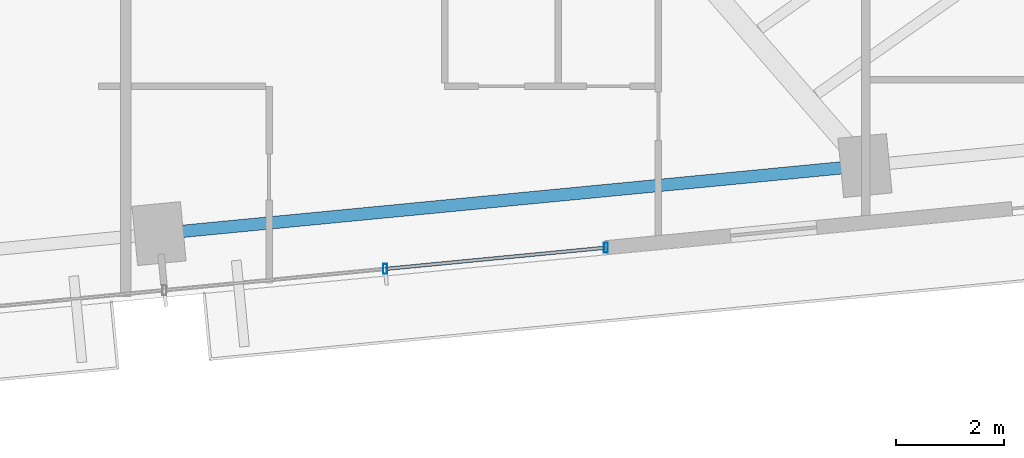
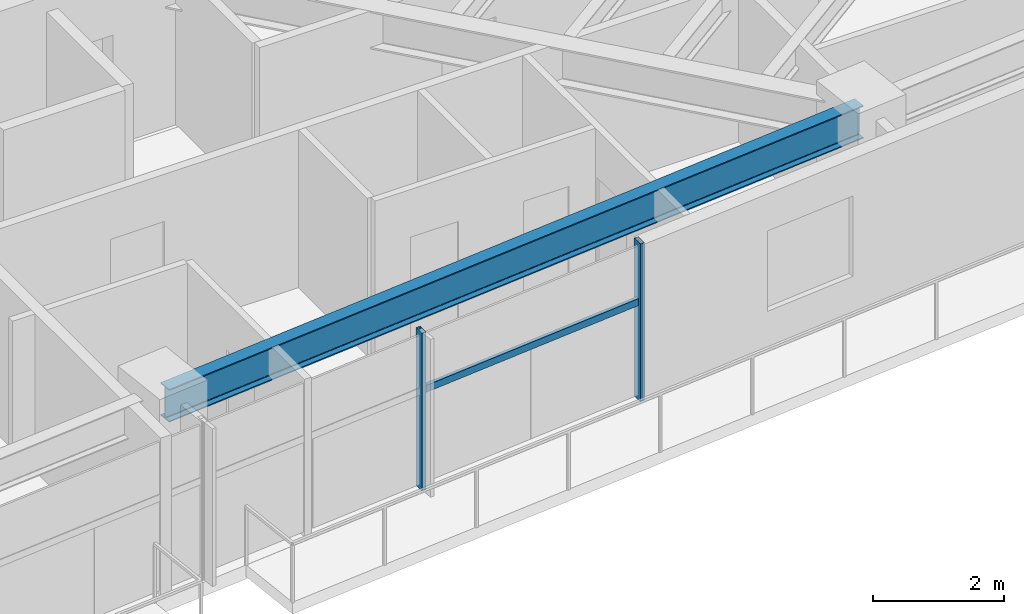
# One storey, part 12 of 27: 3 members, 1 beam, 1 element without a shape of its own.
"""IFC4 building model written with IfcOpenShell, lengths in metres."""

from ifc_helpers import new_model, si_unit, direction, frame, origin, origin_2d, place, context, subcontext, project, spatial, hollow_rectangle, i_section, extrude, source, transform, mapped, material, material_profile, profile_set, type_object, type_shapes, element, aggregate, save


model = new_model("IFC4")

# Units and contexts
model_context = context("Model", 3, precision=1e-05, world=origin(), true_north=direction((0.0, 1.0)))
body_context = subcontext(model_context, "Body", "Model", "MODEL_VIEW")
ifc_project = project(units=[si_unit("LENGTHUNIT", "METRE"), si_unit("AREAUNIT", "SQUARE_METRE"), si_unit("VOLUMEUNIT", "CUBIC_METRE"), si_unit("PLANEANGLEUNIT", "RADIAN"), si_unit("MASSUNIT", "GRAM", prefix="KILO")], contexts=[model_context])

# Site, building, storey
site_placement = place(None, origin())
site = spatial("IfcSite", under=ifc_project, at=site_placement, CompositionType="ELEMENT")
building_placement = place(site_placement, origin())
building = spatial("IfcBuilding", under=site, at=building_placement, Name="Astriad Promenade Condominiums", CompositionType="ELEMENT")
storey_placement = place(building_placement, frame((0.0, 0.0, 84.199951171875)))
storey = spatial("IfcBuildingStorey", under=building, at=storey_placement, Name="L23", CompositionType="ELEMENT", Elevation=84.199951171875)

# Beam
ifc_material_1 = material(Name="Steel ASTM A992 Grade 50", Category="steel")
ifc_material_profile_1 = material_profile(ifc_material_1, i_section(OverallWidth=0.22900390625, OverallDepth=0.612060546875, WebThickness=0.011962890625, FlangeThickness=0.01953125, FilletRadius=0.017822265625, at=origin_2d()), Name="W24X84")
ifc_profile_set_1 = profile_set([ifc_material_profile_1], Name="Steel ASTM A992 Grade 50")
beam_type = type_object("IfcBeamType", Name="STEEL SPANDREL BEAM W24X84", PredefinedType="SPANDREL", material=ifc_profile_set_1)
shared_shape_1 = source(origin(), body_context, "Body", "SweptSolid", [
    extrude(i_section(OverallWidth=0.22900390625, OverallDepth=0.612060546875, WebThickness=0.011962890625, FlangeThickness=0.01953125, FilletRadius=0.017822265625, at=origin_2d()), origin(), (0.0, 0.0, 1.0), 13.02001953125),
])
type_shapes(beam_type, [shared_shape_1])
beam_placement = place(storey_placement, frame((40.085205078125, 7.5244140625, 2.634033203125), z_axis=(0.995395138946, 0.095856754395, 0.0), x_axis=(-0.095856754395, 0.995395138946, 0.0)))
element("IfcBeam", 1, at=beam_placement, inside=storey, type_object=beam_type, Name="Perimeter Spandrel Beam SP-S3-L23", PredefinedType="SPANDREL", context=body_context, shape_type="MappedRepresentation", body=[
    mapped(shared_shape_1, transform((0.0, 0.0, 0.0), scale=1.0)),
])

# Curtain wall, members
ifc_material_2 = material(Name="Anodised aluminium Black Dark Glass Unitised", Category="aluminium")
curtain_wall_type = type_object("IfcCurtainWallType", Name="CW-B2-DARK", PredefinedType="USERDEFINED", material=ifc_material_2)
curtain_wall_placement = place(storey_placement, origin())
curtain_wall = element("IfcCurtainWall", 2, at=curtain_wall_placement, inside=storey, type_object=curtain_wall_type, Name="CW-L23-S", ObjectType="UNITISED_CURTAIN_WALL", PredefinedType="USERDEFINED")
ifc_material_3 = material(Name="Anodised aluminium 6063-T6 Black", Category="aluminium")
ifc_material_profile_2 = material_profile(ifc_material_3, hollow_rectangle(XDim=0.074951171875, YDim=0.18505859375, WallThickness=0.00439453125, at=origin_2d()), Name="ALU-MUL-75X185")
ifc_profile_set_2 = profile_set([ifc_material_profile_2], Name="Anodised aluminium 6063-T6 Black")
member_type_1 = type_object("IfcMemberType", Name="MUL-ALU-MUL-75X185", PredefinedType="MULLION", material=ifc_profile_set_2)
shared_shape_2 = source(origin(), body_context, "Body", "SweptSolid", [
    extrude(hollow_rectangle(XDim=0.074951171875, YDim=0.18505859375, WallThickness=0.00439453125, at=origin_2d()), origin(), (0.0, 0.0, 1.0), 2.93994140625),
])
type_shapes(member_type_1, [shared_shape_2])
member_1_placement = place(storey_placement, frame((48.29833984375, 7.260498046875, 0.0), z_axis=(0.0, 0.0, 1.0), x_axis=(1.0, 0.0, 0.0)))
member_1 = element("IfcMember", 3, at=member_1_placement, type_object=member_type_1, Name="CW-L23-S-MUL-00", PredefinedType="MULLION", context=body_context, shape_type="MappedRepresentation", body=[
    mapped(shared_shape_2, transform((0.0, 0.0, 0.0), scale=1.0)),
])
member_2_placement = place(storey_placement, frame((44.22216796875, 6.867919921875, 0.0), z_axis=(0.0, 0.0, 1.0), x_axis=(1.0, 0.0, 0.0)))
member_2 = element("IfcMember", 4, at=member_2_placement, type_object=member_type_1, Name="CW-L23-S-MUL-01", PredefinedType="MULLION", context=body_context, shape_type="MappedRepresentation", body=[
    mapped(shared_shape_2, transform((0.0, 0.0, 0.0), scale=1.0)),
])
ifc_material_profile_3 = material_profile(ifc_material_3, hollow_rectangle(XDim=0.06494140625, YDim=0.1298828125, WallThickness=0.00390625, at=origin_2d()), Name="ALU-TRN-65X130")
ifc_profile_set_3 = profile_set([ifc_material_profile_3], Name="Anodised aluminium 6063-T6 Black")
member_type_2 = type_object("IfcMemberType", Name="TRN-ALU-TRN-65X130", PredefinedType="USERDEFINED", material=ifc_profile_set_3)
shared_shape_3 = source(origin(), body_context, "Body", "SweptSolid", [
    extrude(hollow_rectangle(XDim=0.06494140625, YDim=0.1298828125, WallThickness=0.00390625, at=origin_2d()), origin(), (0.0, 0.0, 1.0), 4.094970703125),
])
type_shapes(member_type_2, [shared_shape_3])
member_3_placement = place(storey_placement, frame((48.29833984375, 7.260498046875, 1.82275390625), z_axis=(-0.995394161585, -0.09586690296, 0.0), x_axis=(0.09586690296, -0.995394161585, 0.0)))
member_3 = element("IfcMember", 5, at=member_3_placement, type_object=member_type_2, Name="CW-L23-S-TRN-00-0", ObjectType="TRANSOM", PredefinedType="USERDEFINED", context=body_context, shape_type="MappedRepresentation", body=[
    mapped(shared_shape_3, transform((0.0, 0.0, 0.0), scale=1.0)),
])
aggregate(curtain_wall, [member_1, member_2, member_3])

save(model, "model.ifc")
